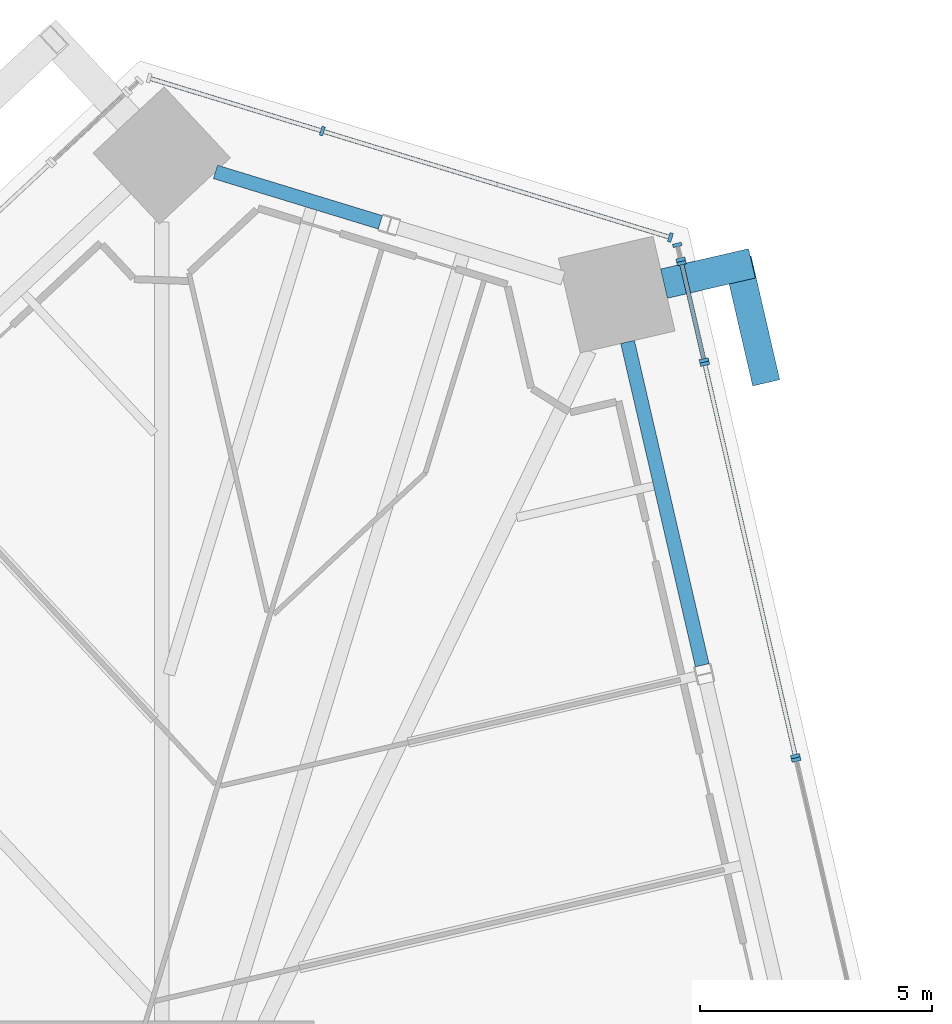
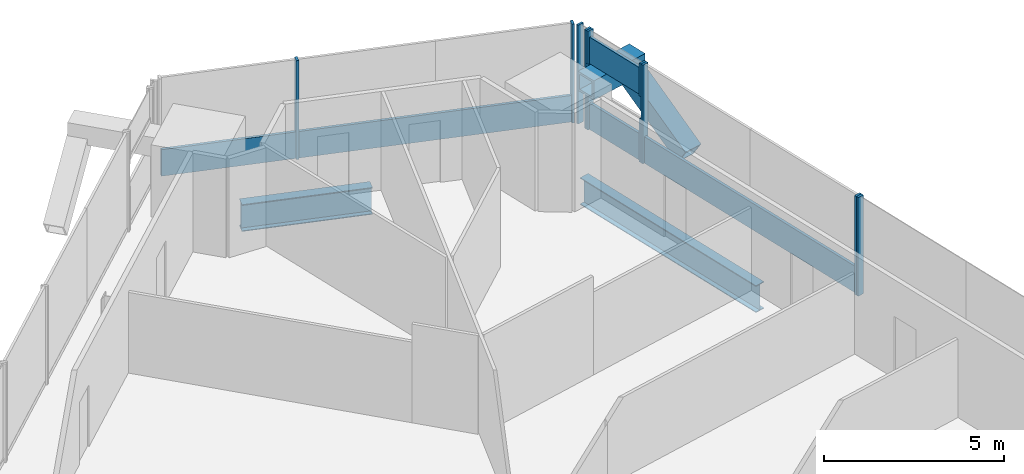
# One storey, part 10 of 25: 18 members, 2 beams, 6 elements without a shape of their own.
"""IFC4 building model written with IfcOpenShell, lengths in metres."""

from ifc_helpers import new_model, si_unit, direction, frame, origin, origin_2d, place, context, subcontext, project, spatial, rectangle, hollow_rectangle, i_section, extrude, source, transform, mapped, material, material_profile, profile_set, type_object, element, aggregate, save


model = new_model("IFC4")

# Units and contexts
model_context = context("Model", 3, precision=1e-05, world=origin(), true_north=direction((0.0, 1.0)))
body_context = subcontext(model_context, "Body", "Model", "MODEL_VIEW")
ifc_project = project(units=[si_unit("LENGTHUNIT", "METRE"), si_unit("AREAUNIT", "SQUARE_METRE"), si_unit("VOLUMEUNIT", "CUBIC_METRE"), si_unit("PLANEANGLEUNIT", "RADIAN"), si_unit("MASSUNIT", "GRAM", prefix="KILO")], contexts=[model_context])

# Site, building, storey
site_placement = place(None, origin())
site = spatial("IfcSite", under=ifc_project, at=site_placement, CompositionType="ELEMENT")
building_placement = place(site_placement, origin())
building = spatial("IfcBuilding", under=site, at=building_placement, Name="Triune Harvest Tower", CompositionType="ELEMENT")
storey_placement = place(building_placement, frame((0.0, 0.0, 130.699951171875)))
storey = spatial("IfcBuildingStorey", under=building, at=storey_placement, Name="L33", CompositionType="ELEMENT", Elevation=130.699951171875)

# Beams
ifc_material_1 = material(Name="Steel ASTM A992 Gr 50", Category="steel")
ifc_material_profile_1 = material_profile(ifc_material_1, i_section(OverallWidth=0.3046875, OverallDepth=0.914306640625, WebThickness=0.0166015625, FlangeThickness=0.02587890625, at=origin_2d()), Name="W36x160")
ifc_profile_set_1 = profile_set([ifc_material_profile_1], Name="Steel ASTM A992 Gr 50")
beam_type = type_object("IfcBeamType", Name="SB-1 Spandrel beam W36x160", PredefinedType="SPANDREL", material=ifc_profile_set_1)
shared_shape_1 = source(origin(), body_context, "Body", "SweptSolid", [
    extrude(i_section(OverallWidth=0.3046875, OverallDepth=0.914306640625, WebThickness=0.0166015625, FlangeThickness=0.02587890625, at=origin_2d()), origin(), (0.0, 0.0, 1.0), 7.16650390625),
])
beam_1_placement = place(storey_placement, frame((16.14990234375, 21.203369140625, -0.6171875), z_axis=(-0.224981420466, 0.974363053715, 0.0), x_axis=(-0.974363053715, -0.224981420466, 0.0)))
element("IfcBeam", 1, at=beam_1_placement, inside=storey, type_object=beam_type, Name="beam/L33/SB6", PredefinedType="SPANDREL", context=body_context, shape_type="MappedRepresentation", body=[
    mapped(shared_shape_1, transform((0.0, 0.0, 0.0), scale=1.0)),
])
shared_shape_2 = source(origin(), body_context, "Body", "SweptSolid", [
    extrude(i_section(OverallWidth=0.3046875, OverallDepth=0.914306640625, WebThickness=0.0166015625, FlangeThickness=0.02587890625, at=origin_2d()), origin(), (0.0, 0.0, 1.0), 3.725830078125),
])
beam_2_placement = place(storey_placement, frame((9.19970703125, 30.768798828125, -0.6171875), z_axis=(-0.956301706638, 0.292381678431, 0.0), x_axis=(-0.292381678431, -0.956301706638, 0.0)))
element("IfcBeam", 2, at=beam_2_placement, inside=storey, type_object=beam_type, Name="beam/L33/SB8", PredefinedType="SPANDREL", context=body_context, shape_type="MappedRepresentation", body=[
    mapped(shared_shape_2, transform((0.0, 0.0, 0.0), scale=1.0)),
])

# Members
ifc_material_2 = material(Name="Steel ASTM A572 Gr 50", Category="steel")
ifc_material_profile_2 = material_profile(ifc_material_2, hollow_rectangle(XDim=0.64990234375, YDim=0.64990234375, WallThickness=0.070068359375, at=origin_2d()), Name="Box 650x650x70")
ifc_profile_set_2 = profile_set([ifc_material_profile_2], Name="Steel ASTM A572 Gr 50")
member_type_1 = type_object("IfcMemberType", Name="BS-1 Brace stub Box 650x650x70", PredefinedType="STRUT", material=ifc_profile_set_2)
shared_shape_3 = source(origin(), body_context, "Body", "SweptSolid", [
    extrude(hollow_rectangle(XDim=0.64990234375, YDim=0.64990234375, WallThickness=0.070068359375, at=origin_2d()), origin(), (0.0, 0.0, 1.0), 1.94873046875),
])
member_1_placement = place(storey_placement, frame((15.32470703125, 29.4453125, 1.85009765625), z_axis=(0.974355286504, 0.225015056521, 0.0), x_axis=(-0.225015056521, 0.974355286504, 0.0)))
element("IfcMember", 3, at=member_1_placement, inside=storey, type_object=member_type_1, Name="brace/B3-F1/stub2", PredefinedType="STRUT", context=body_context, shape_type="MappedRepresentation", body=[
    mapped(shared_shape_3, transform((0.0, 0.0, 0.0), scale=1.0)),
])
ifc_material_3 = material(Name="Steel ASTM A572 Gr 50", Category="steel")
ifc_material_profile_3 = material_profile(ifc_material_3, hollow_rectangle(XDim=0.60009765625, YDim=0.60009765625, WallThickness=0.0400390625, at=origin_2d()), Name="Box 600x600x40")
ifc_profile_set_3 = profile_set([ifc_material_profile_3], Name="Steel ASTM A572 Gr 50")
member_type_2 = type_object("IfcMemberType", Name="BR-2 Brace Box 600x600x40", PredefinedType="BRACE", material=ifc_profile_set_3)
shared_shape_4 = source(origin(), body_context, "Body", "SweptSolid", [
    extrude(hollow_rectangle(XDim=0.60009765625, YDim=0.60009765625, WallThickness=0.0400390625, at=origin_2d()), origin(), (0.0, 0.0, 1.0), 2.8935546875),
])
member_2_placement = place(storey_placement, frame((17.494873046875, 27.462890625, 0.0), z_axis=(-0.188151243322, 0.814872066368, 0.548254161033), x_axis=(-0.974363983154, -0.224977395158, 0.0)))
element("IfcMember", 4, at=member_2_placement, inside=storey, type_object=member_type_2, Name="brace/B3-F1/d1/10", PredefinedType="BRACE", context=body_context, shape_type="MappedRepresentation", body=[
    mapped(shared_shape_4, transform((0.0, 0.0, 0.0), scale=1.0)),
])

# Curtain wall, member
ifc_material_4 = material(Name="Aluminium bronze anodised", Category="aluminium")
curtain_wall_type_1 = type_object("IfcCurtainWallType", Name="CW-1 Tower stick curtain wall", PredefinedType="NOTDEFINED", material=ifc_material_4)
curtain_wall_1_placement = place(storey_placement, origin())
curtain_wall_1 = element("IfcCurtainWall", 5, at=curtain_wall_1_placement, inside=storey, type_object=curtain_wall_type_1, Name="CW-1 B3-F1 L33 run 5201")
ifc_material_5 = material(Name="Aluminium bronze anodised", Category="aluminium")
ifc_material_profile_4 = material_profile(ifc_material_5, rectangle(XDim=0.199951171875, YDim=0.074951171875, at=origin_2d()), Name="MU-1 mullion 75 x 200")
ifc_profile_set_4 = profile_set([ifc_material_profile_4], Name="Aluminium bronze anodised")
member_type_3 = type_object("IfcMemberType", Name="MU-1 mullion 75 x 200", PredefinedType="MULLION", material=ifc_profile_set_4)
shared_shape_5 = source(origin(), body_context, "Body", "SweptSolid", [
    extrude(rectangle(XDim=0.199951171875, YDim=0.074951171875, at=origin_2d()), origin(), (0.0, 0.0, 1.0), 3.35009765625),
])
member_3_placement = place(storey_placement, frame((18.178955078125, 19.16552734375, 0.0), z_axis=(0.0, 0.0, 1.0), x_axis=(-0.974370060254, -0.224951073969, 0.0)))
member_3 = element("IfcMember", 6, at=member_3_placement, type_object=member_type_3, Name="CW-1 mullion B3-F1 5201.3", PredefinedType="MULLION", context=body_context, shape_type="MappedRepresentation", body=[
    mapped(shared_shape_5, transform((0.0, 0.0, 0.0), scale=1.0)),
])
aggregate(curtain_wall_1, [member_3])

# Curtain wall, members
ifc_material_6 = material(Name="Aluminium bronze anodised", Category="aluminium")
curtain_wall_type_2 = type_object("IfcCurtainWallType", Name="CW-7 Tower stick curtain wall with insulated spandrel infill", PredefinedType="NOTDEFINED", material=ifc_material_6)
curtain_wall_2_placement = place(storey_placement, origin())
curtain_wall_2 = element("IfcCurtainWall", 7, at=curtain_wall_2_placement, inside=storey, type_object=curtain_wall_type_2, Name="CW-7 B3-F1 L33 run 6201")
member_4_placement = place(storey_placement, frame((18.161865234375, 19.238525390625, 0.0), z_axis=(0.0, 0.0, 1.0), x_axis=(-0.974370637016, -0.224948575724, 0.0)))
member_4 = element("IfcMember", 8, at=member_4_placement, type_object=member_type_3, Name="CW-7 mullion B3-F1 6201.1", PredefinedType="MULLION", context=body_context, shape_type="MappedRepresentation", body=[
    mapped(shared_shape_5, transform((0.0, 0.0, 0.0), scale=1.0)),
])
member_5_placement = place(storey_placement, frame((16.205322265625, 27.71435546875, 0.0), z_axis=(0.0, 0.0, 1.0), x_axis=(-0.974370637016, -0.224948575724, 0.0)))
member_5 = element("IfcMember", 9, at=member_5_placement, type_object=member_type_3, Name="CW-7 mullion B3-F1 6201.3", PredefinedType="MULLION", context=body_context, shape_type="MappedRepresentation", body=[
    mapped(shared_shape_5, transform((0.0, 0.0, 0.0), scale=1.0)),
])

curtain_wall_3_placement = place(storey_placement, origin())
curtain_wall_3 = element("IfcCurtainWall", 10, at=curtain_wall_3_placement, inside=storey, type_object=curtain_wall_type_1, Name="CW-1 B3-F1 L33 run 501")
member_6_placement = place(storey_placement, frame((15.686279296875, 29.96240234375, 0.0), z_axis=(0.0, 0.0, 1.0), x_axis=(-0.974349222635, -0.225041312542, 0.0)))
member_6 = element("IfcMember", 11, at=member_6_placement, type_object=member_type_3, Name="CW-1 mullion B3-F1 501.1", PredefinedType="MULLION", context=body_context, shape_type="MappedRepresentation", body=[
    mapped(shared_shape_5, transform((0.0, 0.0, 0.0), scale=1.0)),
])
member_7_placement = place(storey_placement, frame((15.612548828125, 30.28076171875, 0.0), z_axis=(0.0, 0.0, 1.0), x_axis=(-0.974349222635, -0.225041312542, 0.0)))
member_7 = element("IfcMember", 12, at=member_7_placement, type_object=member_type_3, Name="CW-1 mullion B3-F1 501.2", PredefinedType="MULLION", context=body_context, shape_type="MappedRepresentation", body=[
    mapped(shared_shape_5, transform((0.0, 0.0, 0.0), scale=1.0)),
])
aggregate(curtain_wall_3, [member_6, member_7])

curtain_wall_4_placement = place(storey_placement, origin())
curtain_wall_4 = element("IfcCurtainWall", 13, at=curtain_wall_4_placement, inside=storey, type_object=curtain_wall_type_2, Name="CW-7 B3-F2 L33 run 1")
member_8_placement = place(storey_placement, frame((15.462158203125, 30.4423828125, 0.0), z_axis=(0.0, 0.0, 1.0), x_axis=(-0.292376962095, -0.956303148607, 0.0)))
member_8 = element("IfcMember", 14, at=member_8_placement, type_object=member_type_3, Name="CW-7 mullion B3-F2 1.1", PredefinedType="MULLION", context=body_context, shape_type="MappedRepresentation", body=[
    mapped(shared_shape_5, transform((0.0, 0.0, 0.0), scale=1.0)),
])
member_9_placement = place(storey_placement, frame((7.945068359375, 32.740478515625, 0.0), z_axis=(0.0, 0.0, 1.0), x_axis=(-0.292376962095, -0.956303148607, 0.0)))
member_9 = element("IfcMember", 15, at=member_9_placement, type_object=member_type_3, Name="CW-7 mullion B3-F2 1.3", PredefinedType="MULLION", context=body_context, shape_type="MappedRepresentation", body=[
    mapped(shared_shape_5, transform((0.0, 0.0, 0.0), scale=1.0)),
])

curtain_wall_5_placement = place(storey_placement, origin())
curtain_wall_5 = element("IfcCurtainWall", 16, at=curtain_wall_5_placement, inside=storey, type_object=curtain_wall_type_2, Name="CW-7 B3-F1 L33 run 301")
shared_shape_6 = source(origin(), body_context, "Body", "SweptSolid", [
    extrude(rectangle(XDim=0.199951171875, YDim=0.074951171875, at=origin_2d()), origin(), (0.0, 0.0, 1.0), 1.465087890625),
])
member_10_placement = place(storey_placement, frame((16.1884765625, 27.787353515625, 0.0), z_axis=(0.0, 0.0, 1.0), x_axis=(-0.974366274869, -0.224967469644, 0.0)))
member_10 = element("IfcMember", 17, at=member_10_placement, type_object=member_type_3, Name="CW-7 mullion B3-F1 301.1", PredefinedType="MULLION", context=body_context, shape_type="MappedRepresentation", body=[
    mapped(shared_shape_6, transform((0.0, 0.0, 0.0), scale=1.0)),
])
member_11_placement = place(storey_placement, frame((15.703125, 29.889404296875, 0.0), z_axis=(0.0, 0.0, 1.0), x_axis=(-0.974366274869, -0.224967469644, 0.0)))
member_11 = element("IfcMember", 18, at=member_11_placement, type_object=member_type_3, Name="CW-7 mullion B3-F1 301.2", PredefinedType="MULLION", context=body_context, shape_type="MappedRepresentation", body=[
    mapped(shared_shape_6, transform((0.0, 0.0, 0.0), scale=1.0)),
])

curtain_wall_6_placement = place(storey_placement, origin())
curtain_wall_6 = element("IfcCurtainWall", 19, at=curtain_wall_6_placement, inside=storey, type_object=curtain_wall_type_1, Name="CW-1 B3-F1 L33 run 401")
shared_shape_7 = source(origin(), body_context, "Body", "SweptSolid", [
    extrude(rectangle(XDim=0.199951171875, YDim=0.074951171875, at=origin_2d()), origin(), (0.0, 0.0, 1.0), 1.114990234375),
])
member_12_placement = place(storey_placement, frame((16.1884765625, 27.787353515625, 2.235107421875), z_axis=(0.0, 0.0, 1.0), x_axis=(-0.974366274869, -0.224967469644, 0.0)))
member_12 = element("IfcMember", 20, at=member_12_placement, type_object=member_type_3, Name="CW-1 mullion B3-F1 401.1", PredefinedType="MULLION", context=body_context, shape_type="MappedRepresentation", body=[
    mapped(shared_shape_7, transform((0.0, 0.0, 0.0), scale=1.0)),
])
member_13_placement = place(storey_placement, frame((15.703125, 29.889404296875, 2.235107421875), z_axis=(0.0, 0.0, 1.0), x_axis=(-0.974366274869, -0.224967469644, 0.0)))
member_13 = element("IfcMember", 21, at=member_13_placement, type_object=member_type_3, Name="CW-1 mullion B3-F1 401.2", PredefinedType="MULLION", context=body_context, shape_type="MappedRepresentation", body=[
    mapped(shared_shape_7, transform((0.0, 0.0, 0.0), scale=1.0)),
])

# Member
ifc_material_7 = material(Name="Aluminium bronze anodised", Category="aluminium")
ifc_material_profile_5 = material_profile(ifc_material_7, rectangle(XDim=0.090087890625, YDim=0.89990234375, at=origin_2d()), Name="TR-1 transom 90 x 900")
ifc_profile_set_5 = profile_set([ifc_material_profile_5], Name="Aluminium bronze anodised")
member_type_4 = type_object("IfcMemberType", Name="TR-1 transom 90 x 900", PredefinedType="USERDEFINED", material=ifc_profile_set_5)
shared_shape_8 = source(origin(), body_context, "Body", "SweptSolid", [
    extrude(rectangle(XDim=0.090087890625, YDim=0.89990234375, at=origin_2d()), origin(), (0.0, 0.0, 1.0), 2.082275390625),
])
member_14_placement = place(storey_placement, frame((16.179931640625, 27.823974609375, 0.449951171875), z_axis=(-0.225005080135, 0.974357590371, 0.0), x_axis=(-0.974357590371, -0.225005080135, 0.0)))
member_14 = element("IfcMember", 22, at=member_14_placement, type_object=member_type_4, Name="CW-7 transom B3-F1 301.1", ObjectType="TRANSOM", PredefinedType="USERDEFINED", context=body_context, shape_type="MappedRepresentation", body=[
    mapped(shared_shape_8, transform((0.0, 0.0, 0.0), scale=1.0)),
])

aggregate(curtain_wall_5, [member_10, member_11, member_14])

member_15_placement = place(storey_placement, frame((16.179931640625, 27.823974609375, 2.68505859375), z_axis=(-0.225005080135, 0.974357590371, 0.0), x_axis=(-0.974357590371, -0.225005080135, 0.0)))
member_15 = element("IfcMember", 23, at=member_15_placement, type_object=member_type_4, Name="CW-1 transom B3-F1 401.1", ObjectType="TRANSOM", PredefinedType="USERDEFINED", context=body_context, shape_type="MappedRepresentation", body=[
    mapped(shared_shape_8, transform((0.0, 0.0, 0.0), scale=1.0)),
])

aggregate(curtain_wall_6, [member_12, member_13, member_15])

shared_shape_9 = source(origin(), body_context, "Body", "SweptSolid", [
    extrude(rectangle(XDim=0.090087890625, YDim=0.89990234375, at=origin_2d()), origin(), (0.0, 0.0, 1.0), 7.78564453125),
])
member_16_placement = place(storey_placement, frame((15.42626953125, 30.453125, 0.449951171875), z_axis=(-0.956300923205, 0.292384240817, 0.0), x_axis=(-0.292384240817, -0.956300923205, 0.0)))
member_16 = element("IfcMember", 24, at=member_16_placement, type_object=member_type_4, Name="CW-7 transom B3-F2 1.1", ObjectType="TRANSOM", PredefinedType="USERDEFINED", context=body_context, shape_type="MappedRepresentation", body=[
    mapped(shared_shape_9, transform((0.0, 0.0, 0.0), scale=1.0)),
])

shared_shape_10 = source(origin(), body_context, "Body", "SweptSolid", [
    extrude(rectangle(XDim=0.090087890625, YDim=0.89990234375, at=origin_2d()), origin(), (0.0, 0.0, 1.0), 3.83642578125),
])
member_17_placement = place(storey_placement, frame((7.9091796875, 32.75146484375, 0.449951171875), z_axis=(-0.956308580564, 0.292359194724, 0.0), x_axis=(-0.292359194724, -0.956308580564, 0.0)))
member_17 = element("IfcMember", 25, at=member_17_placement, type_object=member_type_4, Name="CW-7 transom B3-F2 1.2", ObjectType="TRANSOM", PredefinedType="USERDEFINED", context=body_context, shape_type="MappedRepresentation", body=[
    mapped(shared_shape_10, transform((0.0, 0.0, 0.0), scale=1.0)),
])

aggregate(curtain_wall_4, [member_8, member_9, member_16, member_17])

shared_shape_11 = source(origin(), body_context, "Body", "SweptSolid", [
    extrude(rectangle(XDim=0.090087890625, YDim=0.89990234375, at=origin_2d()), origin(), (0.0, 0.0, 1.0), 8.62353515625),
])
member_18_placement = place(storey_placement, frame((18.153564453125, 19.275146484375, 0.449951171875), z_axis=(-0.224956684384, 0.974368764971, 0.0), x_axis=(-0.974368764971, -0.224956684384, 0.0)))
member_18 = element("IfcMember", 26, at=member_18_placement, type_object=member_type_4, Name="CW-7 transom B3-F1 6201.1", ObjectType="TRANSOM", PredefinedType="USERDEFINED", context=body_context, shape_type="MappedRepresentation", body=[
    mapped(shared_shape_11, transform((0.0, 0.0, 0.0), scale=1.0)),
])

aggregate(curtain_wall_2, [member_4, member_5, member_18])

save(model, "model.ifc")
